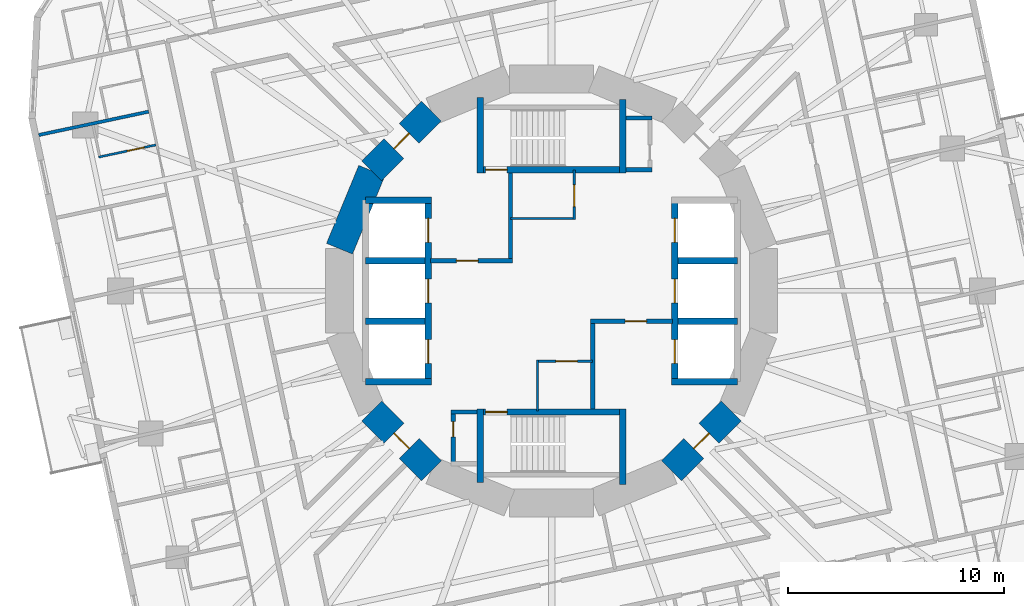
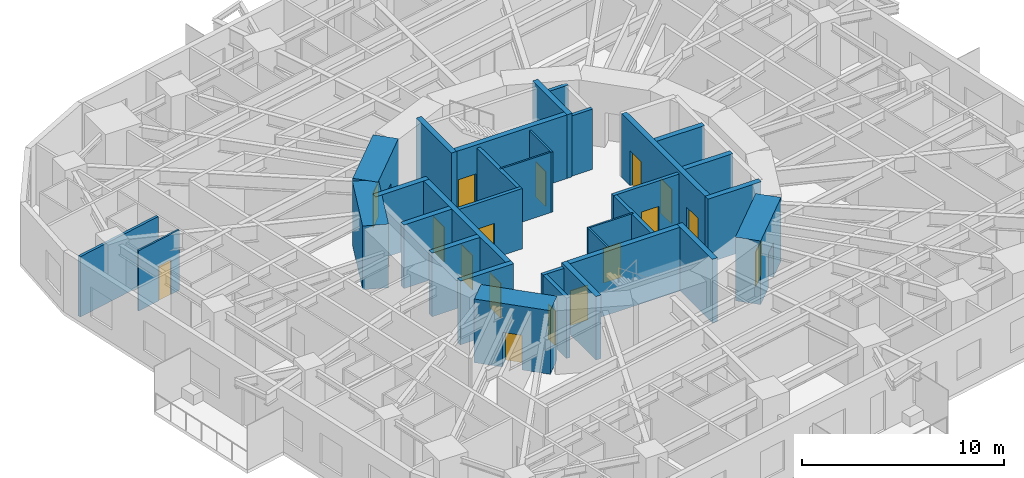
# One storey, part 7 of 14: 33 walls, 17 doors, 17 openings.
"""IFC4 building model written with IfcOpenShell, lengths in metres."""

from ifc_helpers import new_model, si_unit, direction, frame, frame_2d, origin, place, context, subcontext, project, spatial, rectangle, extrude, material, layer, layer_set, type_object, element, fill, save


model = new_model("IFC4")

# Units and contexts
model_context = context("Model", 3, precision=1e-05, world=origin(), true_north=direction((0.0, 1.0)))
body_context = subcontext(model_context, "Body", "Model", "MODEL_VIEW")
ifc_project = project(units=[si_unit("LENGTHUNIT", "METRE"), si_unit("AREAUNIT", "SQUARE_METRE"), si_unit("VOLUMEUNIT", "CUBIC_METRE"), si_unit("PLANEANGLEUNIT", "RADIAN"), si_unit("MASSUNIT", "GRAM", prefix="KILO")], contexts=[model_context])

# Site, building, storey
site_placement = place(None, origin())
site = spatial("IfcSite", under=ifc_project, at=site_placement, CompositionType="ELEMENT")
building_placement = place(site_placement, origin())
building = spatial("IfcBuilding", under=site, at=building_placement, Name="Nakasero Lantern House", CompositionType="ELEMENT")
storey_placement = place(building_placement, frame((0.0, 0.0, 108.85009765625)))
storey = spatial("IfcBuildingStorey", under=building, at=storey_placement, Name="L26", CompositionType="ELEMENT", Elevation=108.85009765625)

# Wall, openings, doors
ifc_material_1 = material(Name="Concrete C50/60", Category="concrete")
ifc_layer_1 = layer(ifc_material_1, 0.300048828125)
ifc_layer_set_1 = layer_set([ifc_layer_1], Name="Core inner wall 300")
wall_type_1 = type_object("IfcWallType", Name="Core inner wall 300", PredefinedType="SHEAR", material=ifc_layer_set_1)
wall_1_placement = place(storey_placement, frame((-5.699951171875, -4.199951171875, 0.0), z_axis=(0.0, 0.0, 1.0), x_axis=(0.0, 1.0, 0.0)))
wall_1 = element("IfcWall", 1, at=wall_1_placement, inside=storey, type_object=wall_type_1, Name="Core inner wall L26 LW", PredefinedType="SHEAR", context=body_context, shape_type="SweptSolid", body=[
    extrude(rectangle(XDim=8.39990234375, YDim=0.300048828125, at=frame_2d((4.199951171875, 0.0))), origin(), (0.0, 0.0, 1.0), 3.849853515625),
])
opening_1_placement = place(wall_1_placement, frame((0.85009765625, 0.0, 0.0)))
opening_1 = element("IfcOpeningElement", 2, at=opening_1_placement, cuts=wall_1, Name="Opening LD", PredefinedType="OPENING", context=body_context, shape_type="SweptSolid", body=[
    extrude(rectangle(XDim=1.10009765625, YDim=2.10009765625, at=frame_2d((0.550048828125, 1.050048828125))), frame((0.0, 0.169921875, 0.0), z_axis=(0.0, -1.0, 0.0), x_axis=(1.0, 0.0, 0.0)), (0.0, 0.0, 1.0), 0.340087890625),
])
opening_2_placement = place(wall_1_placement, frame((3.64990234375, 0.0, 0.0)))
opening_2 = element("IfcOpeningElement", 3, at=opening_2_placement, cuts=wall_1, Name="Opening LD", PredefinedType="OPENING", context=body_context, shape_type="SweptSolid", body=[
    extrude(rectangle(XDim=1.10009765625, YDim=2.10009765625, at=frame_2d((0.550048828125, 1.050048828125))), frame((0.0, 0.169921875, 0.0), z_axis=(0.0, -1.0, 0.0), x_axis=(1.0, 0.0, 0.0)), (0.0, 0.0, 1.0), 0.340087890625),
])
opening_3_placement = place(wall_1_placement, frame((6.449951171875, 0.0, 0.0)))
opening_3 = element("IfcOpeningElement", 4, at=opening_3_placement, cuts=wall_1, Name="Opening LD", PredefinedType="OPENING", context=body_context, shape_type="SweptSolid", body=[
    extrude(rectangle(XDim=1.10009765625, YDim=2.10009765625, at=frame_2d((0.550048828125, 1.050048828125))), frame((0.0, 0.169921875, 0.0), z_axis=(0.0, -1.0, 0.0), x_axis=(1.0, 0.0, 0.0)), (0.0, 0.0, 1.0), 0.340087890625),
])
ifc_material_2 = material(Name="Steel S355", Category="steel")
door_type_1 = type_object("IfcDoorType", Name="Lift landing door E120 1100", OperationType="SLIDING_TO_LEFT", PredefinedType="DOOR", material=ifc_material_2)
door_1_placement = place(opening_1_placement, origin())
door_1 = element("IfcDoor", 5, at=door_1_placement, inside=storey, type_object=door_type_1, Name="Lift landing door LW1", OperationType="SLIDING_TO_LEFT", OverallHeight=2.10009765625, OverallWidth=1.10009765625, PredefinedType="DOOR", context=body_context, shape_type="SweptSolid", body=[
    extrude(rectangle(XDim=1.10009765625, YDim=2.10009765625, at=frame_2d((0.550048828125, 1.050048828125))), frame((0.0, 0.02490234375, 0.0), z_axis=(0.0, -1.0, 0.0), x_axis=(1.0, 0.0, 0.0)), (0.0, 0.0, 1.0), 0.050048828125),
])
fill(opening_1, door_1)
door_2_placement = place(opening_2_placement, origin())
door_2 = element("IfcDoor", 6, at=door_2_placement, inside=storey, type_object=door_type_1, Name="Lift landing door LW2", OperationType="SLIDING_TO_LEFT", OverallHeight=2.10009765625, OverallWidth=1.10009765625, PredefinedType="DOOR", context=body_context, shape_type="SweptSolid", body=[
    extrude(rectangle(XDim=1.10009765625, YDim=2.10009765625, at=frame_2d((0.550048828125, 1.050048828125))), frame((0.0, 0.02490234375, 0.0), z_axis=(0.0, -1.0, 0.0), x_axis=(1.0, 0.0, 0.0)), (0.0, 0.0, 1.0), 0.050048828125),
])
fill(opening_2, door_2)
door_3_placement = place(opening_3_placement, origin())
door_3 = element("IfcDoor", 7, at=door_3_placement, inside=storey, type_object=door_type_1, Name="Lift landing door LW3", OperationType="SLIDING_TO_LEFT", OverallHeight=2.10009765625, OverallWidth=1.10009765625, PredefinedType="DOOR", context=body_context, shape_type="SweptSolid", body=[
    extrude(rectangle(XDim=1.10009765625, YDim=2.10009765625, at=frame_2d((0.550048828125, 1.050048828125))), frame((0.0, 0.02490234375, 0.0), z_axis=(0.0, -1.0, 0.0), x_axis=(1.0, 0.0, 0.0)), (0.0, 0.0, 1.0), 0.050048828125),
])
fill(opening_3, door_3)

wall_2_placement = place(storey_placement, frame((5.699951171875, -4.199951171875, 0.0), z_axis=(0.0, 0.0, 1.0), x_axis=(0.0, 1.0, 0.0)))
wall_2 = element("IfcWall", 8, at=wall_2_placement, inside=storey, type_object=wall_type_1, Name="Core inner wall L26 LE", PredefinedType="SHEAR", context=body_context, shape_type="SweptSolid", body=[
    extrude(rectangle(XDim=8.39990234375, YDim=0.300048828125, at=frame_2d((4.199951171875, 0.0))), origin(), (0.0, 0.0, 1.0), 3.849853515625),
])
opening_4_placement = place(wall_2_placement, frame((0.85009765625, 0.0, 0.0)))
opening_4 = element("IfcOpeningElement", 9, at=opening_4_placement, cuts=wall_2, Name="Opening LD", PredefinedType="OPENING", context=body_context, shape_type="SweptSolid", body=[
    extrude(rectangle(XDim=1.10009765625, YDim=2.10009765625, at=frame_2d((0.550048828125, 1.050048828125))), frame((0.0, 0.169921875, 0.0), z_axis=(0.0, -1.0, 0.0), x_axis=(1.0, 0.0, 0.0)), (0.0, 0.0, 1.0), 0.340087890625),
])
opening_5_placement = place(wall_2_placement, frame((3.64990234375, 0.0, 0.0)))
opening_5 = element("IfcOpeningElement", 10, at=opening_5_placement, cuts=wall_2, Name="Opening LD", PredefinedType="OPENING", context=body_context, shape_type="SweptSolid", body=[
    extrude(rectangle(XDim=1.10009765625, YDim=2.10009765625, at=frame_2d((0.550048828125, 1.050048828125))), frame((0.0, 0.169921875, 0.0), z_axis=(0.0, -1.0, 0.0), x_axis=(1.0, 0.0, 0.0)), (0.0, 0.0, 1.0), 0.340087890625),
])
opening_6_placement = place(wall_2_placement, frame((6.449951171875, 0.0, 0.0)))
opening_6 = element("IfcOpeningElement", 11, at=opening_6_placement, cuts=wall_2, Name="Opening LD", PredefinedType="OPENING", context=body_context, shape_type="SweptSolid", body=[
    extrude(rectangle(XDim=1.10009765625, YDim=2.10009765625, at=frame_2d((0.550048828125, 1.050048828125))), frame((0.0, 0.169921875, 0.0), z_axis=(0.0, -1.0, 0.0), x_axis=(1.0, 0.0, 0.0)), (0.0, 0.0, 1.0), 0.340087890625),
])
door_4_placement = place(opening_4_placement, origin())
door_4 = element("IfcDoor", 12, at=door_4_placement, inside=storey, type_object=door_type_1, Name="Lift landing door LE1", OperationType="SLIDING_TO_LEFT", OverallHeight=2.10009765625, OverallWidth=1.10009765625, PredefinedType="DOOR", context=body_context, shape_type="SweptSolid", body=[
    extrude(rectangle(XDim=1.10009765625, YDim=2.10009765625, at=frame_2d((0.550048828125, 1.050048828125))), frame((0.0, 0.02490234375, 0.0), z_axis=(0.0, -1.0, 0.0), x_axis=(1.0, 0.0, 0.0)), (0.0, 0.0, 1.0), 0.050048828125),
])
fill(opening_4, door_4)
door_5_placement = place(opening_5_placement, origin())
door_5 = element("IfcDoor", 13, at=door_5_placement, inside=storey, type_object=door_type_1, Name="Lift landing door LE2", OperationType="SLIDING_TO_LEFT", OverallHeight=2.10009765625, OverallWidth=1.10009765625, PredefinedType="DOOR", context=body_context, shape_type="SweptSolid", body=[
    extrude(rectangle(XDim=1.10009765625, YDim=2.10009765625, at=frame_2d((0.550048828125, 1.050048828125))), frame((0.0, 0.02490234375, 0.0), z_axis=(0.0, -1.0, 0.0), x_axis=(1.0, 0.0, 0.0)), (0.0, 0.0, 1.0), 0.050048828125),
])
fill(opening_5, door_5)
door_6_placement = place(opening_6_placement, origin())
door_6 = element("IfcDoor", 14, at=door_6_placement, inside=storey, type_object=door_type_1, Name="Lift landing door LE3", OperationType="SLIDING_TO_LEFT", OverallHeight=2.10009765625, OverallWidth=1.10009765625, PredefinedType="DOOR", context=body_context, shape_type="SweptSolid", body=[
    extrude(rectangle(XDim=1.10009765625, YDim=2.10009765625, at=frame_2d((0.550048828125, 1.050048828125))), frame((0.0, 0.02490234375, 0.0), z_axis=(0.0, -1.0, 0.0), x_axis=(1.0, 0.0, 0.0)), (0.0, 0.0, 1.0), 0.050048828125),
])
fill(opening_6, door_6)

# Walls
for number, where, z_axis, x_axis, name in (
    (15, (-8.60009765625, 4.199951171875, 0.0), (0.0, 0.0, 1.0), (1.0, 0.0, 0.0), "Core inner wall L26 LWN"),
    (16, (-8.60009765625, -4.199951171875, 0.0), (0.0, 0.0, 1.0), (1.0, 0.0, 0.0), "Core inner wall L26 LWS"),
    (17, (5.550048828125, -4.199951171875, 0.0), (0.0, 0.0, 1.0), (1.0, 0.0, 0.0), "Core inner wall L26 LES"),
):
    element("IfcWall", number, at=place(storey_placement, frame(where, z_axis=z_axis, x_axis=x_axis)), inside=storey, type_object=wall_type_1, Name=name, PredefinedType="SHEAR", context=body_context, shape_type="SweptSolid", body=[
        extrude(rectangle(XDim=3.050048828125, YDim=0.300048828125, at=frame_2d((1.52490234375, 0.0))), origin(), (0.0, 0.0, 1.0), 3.849853515625),
    ])
for number, where, z_axis, x_axis, name in (
    (18, (-8.60009765625, -1.39990234375, 0.0), (0.0, 0.0, 1.0), (1.0, 0.0, 0.0), "Core inner wall L26 LW1"),
    (19, (-8.60009765625, 1.39990234375, 0.0), (0.0, 0.0, 1.0), (1.0, 0.0, 0.0), "Core inner wall L26 LW2"),
    (20, (5.85009765625, -1.39990234375, 0.0), (0.0, 0.0, 1.0), (1.0, 0.0, 0.0), "Core inner wall L26 LE1"),
    (21, (5.85009765625, 1.39990234375, 0.0), (0.0, 0.0, 1.0), (1.0, 0.0, 0.0), "Core inner wall L26 LE2"),
):
    element("IfcWall", number, at=place(storey_placement, frame(where, z_axis=z_axis, x_axis=x_axis)), inside=storey, type_object=wall_type_1, Name=name, PredefinedType="SHEAR", context=body_context, shape_type="SweptSolid", body=[
        extrude(rectangle(XDim=2.75, YDim=0.300048828125, at=frame_2d((1.375, 0.0))), origin(), (0.0, 0.0, 1.0), 3.849853515625),
    ])

# Wall, opening, door
wall_3_placement = place(storey_placement, frame((-3.449951171875, 5.60009765625, 0.0), z_axis=(0.0, 0.0, 1.0), x_axis=(1.0, 0.0, 0.0)))
wall_3 = element("IfcWall", 22, at=wall_3_placement, inside=storey, type_object=wall_type_1, Name="Core inner wall L26 SN", PredefinedType="SHEAR", context=body_context, shape_type="SweptSolid", body=[
    extrude(rectangle(XDim=6.89990234375, YDim=0.300048828125, at=frame_2d((3.449951171875, 0.0))), origin(), (0.0, 0.0, 1.0), 3.849853515625),
])
opening_7_placement = place(wall_3_placement, frame((0.39990234375, 0.0, 0.0)))
opening_7 = element("IfcOpeningElement", 23, at=opening_7_placement, cuts=wall_3, Name="Opening D05", PredefinedType="OPENING", context=body_context, shape_type="SweptSolid", body=[
    extrude(rectangle(XDim=1.0, YDim=2.10009765625, at=frame_2d((0.5, 1.050048828125))), frame((0.0, 0.169921875, 0.0), z_axis=(0.0, -1.0, 0.0), x_axis=(1.0, 0.0, 0.0)), (0.0, 0.0, 1.0), 0.340087890625),
])
ifc_material_3 = material(Name="Timber C24", Category="wood")
door_type_2 = type_object("IfcDoorType", Name="Core door FD60S 1000", OperationType="SINGLE_SWING_LEFT", PredefinedType="DOOR", material=ifc_material_3)
door_7_placement = place(opening_7_placement, origin())
door_7 = element("IfcDoor", 24, at=door_7_placement, inside=storey, type_object=door_type_2, Name="Door L26 D-ST1", OperationType="SINGLE_SWING_LEFT", OverallHeight=2.10009765625, OverallWidth=1.0, PredefinedType="DOOR", context=body_context, shape_type="SweptSolid", body=[
    extrude(rectangle(XDim=1.0, YDim=2.10009765625, at=frame_2d((0.5, 1.050048828125))), frame((0.0, 0.02490234375, 0.0), z_axis=(0.0, -1.0, 0.0), x_axis=(1.0, 0.0, 0.0)), (0.0, 0.0, 1.0), 0.050048828125),
])
fill(opening_7, door_7)

# Walls
wall_4_placement = place(storey_placement, frame((-3.300048828125, 5.449951171875, 0.0), z_axis=(0.0, 0.0, 1.0), x_axis=(0.0, 1.0, 0.0)))
element("IfcWall", 25, at=wall_4_placement, inside=storey, type_object=wall_type_1, Name="Core inner wall L26 SNW", PredefinedType="SHEAR", context=body_context, shape_type="SweptSolid", body=[
    extrude(rectangle(XDim=3.5, YDim=0.300048828125, at=frame_2d((1.75, 0.0))), origin(), (0.0, 0.0, 1.0), 3.849853515625),
])
wall_5_placement = place(storey_placement, frame((3.300048828125, 5.449951171875, 0.0), z_axis=(0.0, 0.0, 1.0), x_axis=(0.0, 1.0, 0.0)))
element("IfcWall", 26, at=wall_5_placement, inside=storey, type_object=wall_type_1, Name="Core inner wall L26 SNE", PredefinedType="SHEAR", context=body_context, shape_type="SweptSolid", body=[
    extrude(rectangle(XDim=3.400146484375, YDim=0.300048828125, at=frame_2d((1.7001953125, 0.0))), origin(), (0.0, 0.0, 1.0), 3.849853515625),
])

# Wall, opening, door
wall_6_placement = place(storey_placement, frame((-3.449951171875, -5.60009765625, 0.0), z_axis=(0.0, 0.0, 1.0), x_axis=(1.0, 0.0, 0.0)))
wall_6 = element("IfcWall", 27, at=wall_6_placement, inside=storey, type_object=wall_type_1, Name="Core inner wall L26 SS", PredefinedType="SHEAR", context=body_context, shape_type="SweptSolid", body=[
    extrude(rectangle(XDim=6.89990234375, YDim=0.300048828125, at=frame_2d((3.449951171875, 0.0))), origin(), (0.0, 0.0, 1.0), 3.849853515625),
])
opening_8_placement = place(wall_6_placement, frame((0.39990234375, 0.0, 0.0)))
opening_8 = element("IfcOpeningElement", 28, at=opening_8_placement, cuts=wall_6, Name="Opening D05", PredefinedType="OPENING", context=body_context, shape_type="SweptSolid", body=[
    extrude(rectangle(XDim=1.0, YDim=2.10009765625, at=frame_2d((0.5, 1.050048828125))), frame((0.0, 0.169921875, 0.0), z_axis=(0.0, -1.0, 0.0), x_axis=(1.0, 0.0, 0.0)), (0.0, 0.0, 1.0), 0.340087890625),
])
door_8_placement = place(opening_8_placement, origin())
door_8 = element("IfcDoor", 29, at=door_8_placement, inside=storey, type_object=door_type_2, Name="Door L26 D-ST2", OperationType="SINGLE_SWING_LEFT", OverallHeight=2.10009765625, OverallWidth=1.0, PredefinedType="DOOR", context=body_context, shape_type="SweptSolid", body=[
    extrude(rectangle(XDim=1.0, YDim=2.10009765625, at=frame_2d((0.5, 1.050048828125))), frame((0.0, 0.02490234375, 0.0), z_axis=(0.0, -1.0, 0.0), x_axis=(1.0, 0.0, 0.0)), (0.0, 0.0, 1.0), 0.050048828125),
])
fill(opening_8, door_8)

# Walls
wall_7_placement = place(storey_placement, frame((-3.300048828125, -5.449951171875, 0.0), z_axis=(0.0, 0.0, 1.0), x_axis=(0.0, -1.0, 0.0)))
element("IfcWall", 30, at=wall_7_placement, inside=storey, type_object=wall_type_1, Name="Core inner wall L26 SSW", PredefinedType="SHEAR", context=body_context, shape_type="SweptSolid", body=[
    extrude(rectangle(XDim=3.400146484375, YDim=0.300048828125, at=frame_2d((1.7001953125, 0.0))), origin(), (0.0, 0.0, 1.0), 3.849853515625),
])
wall_8_placement = place(storey_placement, frame((3.300048828125, -5.449951171875, 0.0), z_axis=(0.0, 0.0, 1.0), x_axis=(0.0, -1.0, 0.0)))
element("IfcWall", 31, at=wall_8_placement, inside=storey, type_object=wall_type_1, Name="Core inner wall L26 SSE", PredefinedType="SHEAR", context=body_context, shape_type="SweptSolid", body=[
    extrude(rectangle(XDim=3.5, YDim=0.300048828125, at=frame_2d((1.75, 0.0))), origin(), (0.0, 0.0, 1.0), 3.849853515625),
])
ifc_material_4 = material(Name="Blockwork", Category="masonry")
ifc_layer_2 = layer(ifc_material_4, 0.10009765625)
ifc_layer_set_2 = layer_set([ifc_layer_2], Name="Core room wall 100")
wall_type_2 = type_object("IfcWallType", Name="Core room wall 100", PredefinedType="PARTITIONING", material=ifc_layer_set_2)
wall_9_placement = place(storey_placement, frame((-1.89990234375, 3.35009765625, 0.0), z_axis=(0.0, 0.0, 1.0), x_axis=(1.0, 0.0, 0.0)))
element("IfcWall", 32, at=wall_9_placement, inside=storey, type_object=wall_type_2, Name="Core room wall L26 CR-NES", PredefinedType="PARTITIONING", context=body_context, shape_type="SweptSolid", body=[
    extrude(rectangle(XDim=3.0, YDim=0.10009765625, at=frame_2d((1.5, 0.0))), origin(), (0.0, 0.0, 1.0), 3.64990234375),
])

# Wall, opening, door
wall_10_placement = place(storey_placement, frame((1.050048828125, 3.300048828125, 0.0), z_axis=(0.0, 0.0, 1.0), x_axis=(0.0, 1.0, 0.0)))
wall_10 = element("IfcWall", 33, at=wall_10_placement, inside=storey, type_object=wall_type_2, Name="Core room wall L26 CR-NEE", PredefinedType="PARTITIONING", context=body_context, shape_type="SweptSolid", body=[
    extrude(rectangle(XDim=2.300048828125, YDim=0.10009765625, at=frame_2d((1.14990234375, 0.0))), origin(), (0.0, 0.0, 1.0), 3.64990234375),
])
opening_9_placement = place(wall_10_placement, frame((0.60009765625, 0.0, 0.0)))
opening_9 = element("IfcOpeningElement", 34, at=opening_9_placement, cuts=wall_10, Name="Opening D13", PredefinedType="OPENING", context=body_context, shape_type="SweptSolid", body=[
    extrude(rectangle(XDim=1.0, YDim=2.10009765625, at=frame_2d((0.5, 1.050048828125))), frame((0.0, 0.070068359375, 0.0), z_axis=(0.0, -1.0, 0.0), x_axis=(1.0, 0.0, 0.0)), (0.0, 0.0, 1.0), 0.14013671875),
])
ifc_material_5 = material(Name="Steel S355", Category="steel")
door_type_3 = type_object("IfcDoorType", Name="Plant room door FD60 1000", OperationType="SINGLE_SWING_LEFT", PredefinedType="DOOR", material=ifc_material_5)
door_9_placement = place(opening_9_placement, origin())
door_9 = element("IfcDoor", 35, at=door_9_placement, inside=storey, type_object=door_type_3, Name="Door L26 D-CR-NE", OperationType="SINGLE_SWING_LEFT", OverallHeight=2.10009765625, OverallWidth=1.0, PredefinedType="DOOR", context=body_context, shape_type="SweptSolid", body=[
    extrude(rectangle(XDim=1.0, YDim=2.10009765625, at=frame_2d((0.5, 1.050048828125))), frame((0.0, 0.02490234375, 0.0), z_axis=(0.0, -1.0, 0.0), x_axis=(1.0, 0.0, 0.0)), (0.0, 0.0, 1.0), 0.050048828125),
])
fill(opening_9, door_9)

wall_11_placement = place(storey_placement, frame((-0.699951171875, -3.25, 0.0), z_axis=(0.0, 0.0, 1.0), x_axis=(1.0, 0.0, 0.0)))
wall_11 = element("IfcWall", 36, at=wall_11_placement, inside=storey, type_object=wall_type_2, Name="Core room wall L26 CR-SWN", PredefinedType="PARTITIONING", context=body_context, shape_type="SweptSolid", body=[
    extrude(rectangle(XDim=2.599853515625, YDim=0.10009765625, at=frame_2d((1.2998046875, 0.0))), origin(), (0.0, 0.0, 1.0), 3.64990234375),
])
opening_10_placement = place(wall_11_placement, frame((0.89990234375, 0.0, 0.0)))
opening_10 = element("IfcOpeningElement", 37, at=opening_10_placement, cuts=wall_11, Name="Opening D07", PredefinedType="OPENING", context=body_context, shape_type="SweptSolid", body=[
    extrude(rectangle(XDim=1.0, YDim=2.10009765625, at=frame_2d((0.5, 1.050048828125))), frame((0.0, 0.070068359375, 0.0), z_axis=(0.0, -1.0, 0.0), x_axis=(1.0, 0.0, 0.0)), (0.0, 0.0, 1.0), 0.14013671875),
])
ifc_material_6 = material(Name="Timber C24", Category="wood")
door_type_4 = type_object("IfcDoorType", Name="Room door FD30S 1000", OperationType="SINGLE_SWING_LEFT", PredefinedType="DOOR", material=ifc_material_6)
door_10_placement = place(opening_10_placement, origin())
door_10 = element("IfcDoor", 38, at=door_10_placement, inside=storey, type_object=door_type_4, Name="Door L26 D-CR-SW", OperationType="SINGLE_SWING_RIGHT", OverallHeight=2.10009765625, OverallWidth=1.0, PredefinedType="DOOR", context=body_context, shape_type="SweptSolid", body=[
    extrude(rectangle(XDim=1.0, YDim=2.10009765625, at=frame_2d((0.5, 1.050048828125))), frame((0.0, 0.02490234375, 0.0), z_axis=(0.0, -1.0, 0.0), x_axis=(1.0, 0.0, 0.0)), (0.0, 0.0, 1.0), 0.050048828125),
])
fill(opening_10, door_10)

# Wall
wall_12_placement = place(storey_placement, frame((-0.64990234375, -5.550048828125, 0.0), z_axis=(0.0, 0.0, 1.0), x_axis=(0.0, 1.0, 0.0)))
element("IfcWall", 39, at=wall_12_placement, inside=storey, type_object=wall_type_2, Name="Core room wall L26 CR-SWW", PredefinedType="PARTITIONING", context=body_context, shape_type="SweptSolid", body=[
    extrude(rectangle(XDim=2.35009765625, YDim=0.10009765625, at=frame_2d((1.175048828125, 0.0))), origin(), (0.0, 0.0, 1.0), 3.64990234375),
])

# Wall, opening, door
ifc_material_7 = material(Name="Concrete C50/60", Category="concrete")
ifc_layer_3 = layer(ifc_material_7, 1.300048828125)
ifc_layer_set_3 = layer_set([ifc_layer_3], Name="Core wall 1300")
wall_type_3 = type_object("IfcWallType", Name="Core wall 1300", PredefinedType="SHEAR", material=ifc_layer_set_3)
wall_13_placement = place(storey_placement, frame((-5.5556640625, 8.314697265625, 0.0), z_axis=(0.0, 0.0, 1.0), x_axis=(-0.707106781187, -0.707106781187, 0.0)))
wall_13 = element("IfcWall", 40, at=wall_13_placement, inside=storey, type_object=wall_type_3, Name="Core wall L26 facet 6", PredefinedType="SHEAR", context=body_context, shape_type="SweptSolid", body=[
    extrude(rectangle(XDim=3.90185546875, YDim=1.300048828125, at=frame_2d((1.950927734375, 0.0))), origin(), (0.0, 0.0, 1.0), 3.849853515625),
])
opening_11_placement = place(wall_13_placement, frame((1.450927734375, 0.0, 0.0)))
opening_11 = element("IfcOpeningElement", 41, at=opening_11_placement, cuts=wall_13, Name="Opening D05", PredefinedType="OPENING", context=body_context, shape_type="SweptSolid", body=[
    extrude(rectangle(XDim=1.0, YDim=2.10009765625, at=frame_2d((0.5, 1.050048828125))), frame((0.0, 0.669921875, 0.0), z_axis=(0.0, -1.0, 0.0), x_axis=(1.0, 0.0, 0.0)), (0.0, 0.0, 1.0), 1.340087890625),
])
door_11_placement = place(opening_11_placement, origin())
door_11 = element("IfcDoor", 42, at=door_11_placement, inside=storey, type_object=door_type_2, Name="Door L26 D-CORE06", OperationType="SINGLE_SWING_LEFT", OverallHeight=2.10009765625, OverallWidth=1.0, PredefinedType="DOOR", context=body_context, shape_type="SweptSolid", body=[
    extrude(rectangle(XDim=1.0, YDim=2.10009765625, at=frame_2d((0.5, 1.050048828125))), frame((0.0, 0.02490234375, 0.0), z_axis=(0.0, -1.0, 0.0), x_axis=(1.0, 0.0, 0.0)), (0.0, 0.0, 1.0), 0.050048828125),
])
fill(opening_11, door_11)

# Wall
wall_14_placement = place(storey_placement, frame((-8.314697265625, 5.5556640625, 0.0), z_axis=(0.0, 0.0, 1.0), x_axis=(-0.382690736062, -0.923876507187, 0.0)))
element("IfcWall", 43, at=wall_14_placement, inside=storey, type_object=wall_type_3, Name="Core wall L26 facet 7", PredefinedType="SHEAR", context=body_context, shape_type="SweptSolid", body=[
    extrude(rectangle(XDim=3.90185546875, YDim=1.300048828125, at=frame_2d((1.950927734375, 0.0))), origin(), (0.0, 0.0, 1.0), 3.849853515625),
])

# Wall, opening, door
wall_15_placement = place(storey_placement, frame((-8.314697265625, -5.5556640625, 0.0), z_axis=(0.0, 0.0, 1.0), x_axis=(0.707106781187, -0.707106781187, 0.0)))
wall_15 = element("IfcWall", 44, at=wall_15_placement, inside=storey, type_object=wall_type_3, Name="Core wall L26 facet 10", PredefinedType="SHEAR", context=body_context, shape_type="SweptSolid", body=[
    extrude(rectangle(XDim=3.90185546875, YDim=1.300048828125, at=frame_2d((1.950927734375, 0.0))), origin(), (0.0, 0.0, 1.0), 3.849853515625),
])
opening_12_placement = place(wall_15_placement, frame((1.450927734375, 0.0, 0.0)))
opening_12 = element("IfcOpeningElement", 45, at=opening_12_placement, cuts=wall_15, Name="Opening D05", PredefinedType="OPENING", context=body_context, shape_type="SweptSolid", body=[
    extrude(rectangle(XDim=1.0, YDim=2.10009765625, at=frame_2d((0.5, 1.050048828125))), frame((0.0, 0.669921875, 0.0), z_axis=(0.0, -1.0, 0.0), x_axis=(1.0, 0.0, 0.0)), (0.0, 0.0, 1.0), 1.340087890625),
])
door_12_placement = place(opening_12_placement, origin())
door_12 = element("IfcDoor", 46, at=door_12_placement, inside=storey, type_object=door_type_2, Name="Door L26 D-CORE10", OperationType="SINGLE_SWING_LEFT", OverallHeight=2.10009765625, OverallWidth=1.0, PredefinedType="DOOR", context=body_context, shape_type="SweptSolid", body=[
    extrude(rectangle(XDim=1.0, YDim=2.10009765625, at=frame_2d((0.5, 1.050048828125))), frame((0.0, 0.02490234375, 0.0), z_axis=(0.0, -1.0, 0.0), x_axis=(1.0, 0.0, 0.0)), (0.0, 0.0, 1.0), 0.050048828125),
])
fill(opening_12, door_12)

wall_16_placement = place(storey_placement, frame((5.5556640625, -8.314697265625, 0.0), z_axis=(0.0, 0.0, 1.0), x_axis=(0.707106781187, 0.707106781187, 0.0)))
wall_16 = element("IfcWall", 47, at=wall_16_placement, inside=storey, type_object=wall_type_3, Name="Core wall L26 facet 14", PredefinedType="SHEAR", context=body_context, shape_type="SweptSolid", body=[
    extrude(rectangle(XDim=3.90185546875, YDim=1.300048828125, at=frame_2d((1.950927734375, 0.0))), origin(), (0.0, 0.0, 1.0), 3.849853515625),
])
opening_13_placement = place(wall_16_placement, frame((1.450927734375, 0.0, 0.0)))
opening_13 = element("IfcOpeningElement", 48, at=opening_13_placement, cuts=wall_16, Name="Opening D05", PredefinedType="OPENING", context=body_context, shape_type="SweptSolid", body=[
    extrude(rectangle(XDim=1.0, YDim=2.10009765625, at=frame_2d((0.5, 1.050048828125))), frame((0.0, 0.669921875, 0.0), z_axis=(0.0, -1.0, 0.0), x_axis=(1.0, 0.0, 0.0)), (0.0, 0.0, 1.0), 1.340087890625),
])
door_13_placement = place(opening_13_placement, origin())
door_13 = element("IfcDoor", 49, at=door_13_placement, inside=storey, type_object=door_type_2, Name="Door L26 D-CORE14", OperationType="SINGLE_SWING_LEFT", OverallHeight=2.10009765625, OverallWidth=1.0, PredefinedType="DOOR", context=body_context, shape_type="SweptSolid", body=[
    extrude(rectangle(XDim=1.0, YDim=2.10009765625, at=frame_2d((0.5, 1.050048828125))), frame((0.0, 0.02490234375, 0.0), z_axis=(0.0, -1.0, 0.0), x_axis=(1.0, 0.0, 0.0)), (0.0, 0.0, 1.0), 0.050048828125),
])
fill(opening_13, door_13)

ifc_material_8 = material(Name="Blockwork", Category="masonry")
ifc_layer_4 = layer(ifc_material_8, 0.10009765625)
ifc_layer_set_4 = layer_set([ifc_layer_4], Name="En-suite wall 100")
wall_type_4 = type_object("IfcWallType", Name="En-suite wall 100", PredefinedType="PARTITIONING", material=ifc_layer_set_4)
wall_17_placement = place(storey_placement, frame((-18.303466796875, 6.7509765625, 0.0), z_axis=(0.0, 0.0, 1.0), x_axis=(-0.978137244908, -0.207960405185, 0.0)))
wall_17 = element("IfcWall", 50, at=wall_17_placement, inside=storey, type_object=wall_type_4, Name="En-suite wall L26 ES2-01", PredefinedType="PARTITIONING", context=body_context, shape_type="SweptSolid", body=[
    extrude(rectangle(XDim=2.7001953125, YDim=0.10009765625, at=frame_2d((1.35009765625, 0.0))), origin(), (0.0, 0.0, 1.0), 3.64990234375),
])
opening_14_placement = place(wall_17_placement, frame((0.550048828125, 0.0, 0.0)))
opening_14 = element("IfcOpeningElement", 51, at=opening_14_placement, cuts=wall_17, Name="Opening D02", PredefinedType="OPENING", context=body_context, shape_type="SweptSolid", body=[
    extrude(rectangle(XDim=0.800048828125, YDim=2.10009765625, at=frame_2d((0.39990234375, 1.050048828125))), frame((0.0, 0.070068359375, 0.0), z_axis=(0.0, -1.0, 0.0), x_axis=(1.0, 0.0, 0.0)), (0.0, 0.0, 1.0), 0.14013671875),
])
ifc_material_9 = material(Name="Timber C24", Category="wood")
door_type_5 = type_object("IfcDoorType", Name="En-suite door 800", OperationType="SINGLE_SWING_RIGHT", PredefinedType="DOOR", material=ifc_material_9)
door_14_placement = place(opening_14_placement, origin())
door_14 = element("IfcDoor", 52, at=door_14_placement, inside=storey, type_object=door_type_5, Name="Door L26 DE2-01", OperationType="SINGLE_SWING_LEFT", OverallHeight=2.10009765625, OverallWidth=0.800048828125, PredefinedType="DOOR", context=body_context, shape_type="SweptSolid", body=[
    extrude(rectangle(XDim=0.800048828125, YDim=2.10009765625, at=frame_2d((0.39990234375, 1.050048828125))), frame((0.0, 0.02490234375, 0.0), z_axis=(0.0, -1.0, 0.0), x_axis=(1.0, 0.0, 0.0)), (0.0, 0.0, 1.0), 0.050048828125),
])
fill(opening_14, door_14)

ifc_material_10 = material(Name="Blockwork", Category="masonry")
ifc_layer_5 = layer(ifc_material_10, 0.199951171875)
ifc_layer_set_5 = layer_set([ifc_layer_5], Name="Fire lobby wall 200")
wall_type_5 = type_object("IfcWallType", Name="Fire lobby wall 200", PredefinedType="PARTITIONING", material=ifc_layer_set_5)
wall_18_placement = place(storey_placement, frame((-5.60009765625, 1.39990234375, 0.0), z_axis=(0.0, 0.0, 1.0), x_axis=(1.0, 0.0, 0.0)))
wall_18 = element("IfcWall", 53, at=wall_18_placement, inside=storey, type_object=wall_type_5, Name="Fire lobby wall L26 W-FL1S", PredefinedType="PARTITIONING", context=body_context, shape_type="SweptSolid", body=[
    extrude(rectangle(XDim=3.800048828125, YDim=0.199951171875, at=frame_2d((1.89990234375, 0.0))), origin(), (0.0, 0.0, 1.0), 3.64990234375),
])
opening_15_placement = place(wall_18_placement, frame((1.199951171875, 0.0, 0.0)))
opening_15 = element("IfcOpeningElement", 54, at=opening_15_placement, cuts=wall_18, Name="Opening D05", PredefinedType="OPENING", context=body_context, shape_type="SweptSolid", body=[
    extrude(rectangle(XDim=1.0, YDim=2.10009765625, at=frame_2d((0.5, 1.050048828125))), frame((0.0, 0.119873046875, 0.0), z_axis=(0.0, -1.0, 0.0), x_axis=(1.0, 0.0, 0.0)), (0.0, 0.0, 1.0), 0.239990234375),
])
door_15_placement = place(opening_15_placement, origin())
door_15 = element("IfcDoor", 55, at=door_15_placement, inside=storey, type_object=door_type_2, Name="Door L26 D-FL1", OperationType="SINGLE_SWING_LEFT", OverallHeight=2.10009765625, OverallWidth=1.0, PredefinedType="DOOR", context=body_context, shape_type="SweptSolid", body=[
    extrude(rectangle(XDim=1.0, YDim=2.10009765625, at=frame_2d((0.5, 1.050048828125))), frame((0.0, 0.02490234375, 0.0), z_axis=(0.0, -1.0, 0.0), x_axis=(1.0, 0.0, 0.0)), (0.0, 0.0, 1.0), 0.050048828125),
])
fill(opening_15, door_15)

# Wall
wall_19_placement = place(storey_placement, frame((-1.89990234375, 1.5, 0.0), z_axis=(0.0, 0.0, 1.0), x_axis=(0.0, 1.0, 0.0)))
element("IfcWall", 56, at=wall_19_placement, inside=storey, type_object=wall_type_5, Name="Fire lobby wall L26 W-FL1E", PredefinedType="PARTITIONING", context=body_context, shape_type="SweptSolid", body=[
    extrude(rectangle(XDim=3.949951171875, YDim=0.199951171875, at=frame_2d((1.97509765625, 0.0))), origin(), (0.0, 0.0, 1.0), 3.64990234375),
])

# Wall, opening, door
wall_20_placement = place(storey_placement, frame((5.60009765625, -1.39990234375, 0.0), z_axis=(0.0, 0.0, 1.0), x_axis=(-1.0, 0.0, 0.0)))
wall_20 = element("IfcWall", 57, at=wall_20_placement, inside=storey, type_object=wall_type_5, Name="Fire lobby wall L26 W-FL2N", PredefinedType="PARTITIONING", context=body_context, shape_type="SweptSolid", body=[
    extrude(rectangle(XDim=3.800048828125, YDim=0.199951171875, at=frame_2d((1.89990234375, 0.0))), origin(), (0.0, 0.0, 1.0), 3.64990234375),
])
opening_16_placement = place(wall_20_placement, frame((1.199951171875, 0.0, 0.0)))
opening_16 = element("IfcOpeningElement", 58, at=opening_16_placement, cuts=wall_20, Name="Opening D05", PredefinedType="OPENING", context=body_context, shape_type="SweptSolid", body=[
    extrude(rectangle(XDim=1.0, YDim=2.10009765625, at=frame_2d((0.5, 1.050048828125))), frame((0.0, 0.119873046875, 0.0), z_axis=(0.0, -1.0, 0.0), x_axis=(1.0, 0.0, 0.0)), (0.0, 0.0, 1.0), 0.239990234375),
])
door_16_placement = place(opening_16_placement, origin())
door_16 = element("IfcDoor", 59, at=door_16_placement, inside=storey, type_object=door_type_2, Name="Door L26 D-FL2", OperationType="SINGLE_SWING_LEFT", OverallHeight=2.10009765625, OverallWidth=1.0, PredefinedType="DOOR", context=body_context, shape_type="SweptSolid", body=[
    extrude(rectangle(XDim=1.0, YDim=2.10009765625, at=frame_2d((0.5, 1.050048828125))), frame((0.0, 0.02490234375, 0.0), z_axis=(0.0, -1.0, 0.0), x_axis=(1.0, 0.0, 0.0)), (0.0, 0.0, 1.0), 0.050048828125),
])
fill(opening_16, door_16)

# Walls
wall_21_placement = place(storey_placement, frame((1.89990234375, -1.5, 0.0), z_axis=(0.0, 0.0, 1.0), x_axis=(0.0, -1.0, 0.0)))
element("IfcWall", 60, at=wall_21_placement, inside=storey, type_object=wall_type_5, Name="Fire lobby wall L26 W-FL2W", PredefinedType="PARTITIONING", context=body_context, shape_type="SweptSolid", body=[
    extrude(rectangle(XDim=3.949951171875, YDim=0.199951171875, at=frame_2d((1.97509765625, 0.0))), origin(), (0.0, 0.0, 1.0), 3.64990234375),
])
for number, where, z_axis, x_axis, name in (
    (61, (3.449951171875, 8.0, 0.0), (0.0, 0.0, 1.0), (1.0, 0.0, 0.0), "Fire lobby wall L26 W-RS1N"),
    (62, (3.449951171875, 5.60009765625, 0.0), (0.0, 0.0, 1.0), (1.0, 0.0, 0.0), "Fire lobby wall L26 W-RS1S"),
):
    element("IfcWall", number, at=place(storey_placement, frame(where, z_axis=z_axis, x_axis=x_axis)), inside=storey, type_object=wall_type_5, Name=name, PredefinedType="PARTITIONING", context=body_context, shape_type="SweptSolid", body=[
        extrude(rectangle(XDim=1.199951171875, YDim=0.199951171875, at=frame_2d((0.60009765625, 0.0))), origin(), (0.0, 0.0, 1.0), 3.64990234375),
    ])

# Wall, opening, door
wall_22_placement = place(storey_placement, frame((-4.550048828125, -5.60009765625, 0.0), z_axis=(0.0, 0.0, 1.0), x_axis=(0.0, -1.0, 0.0)))
wall_22 = element("IfcWall", 63, at=wall_22_placement, inside=storey, type_object=wall_type_5, Name="Fire lobby wall L26 W-RS2W", PredefinedType="PARTITIONING", context=body_context, shape_type="SweptSolid", body=[
    extrude(rectangle(XDim=2.39990234375, YDim=0.199951171875, at=frame_2d((1.199951171875, 0.0))), origin(), (0.0, 0.0, 1.0), 3.64990234375),
])
opening_17_placement = place(wall_22_placement, frame((0.449951171875, 0.0, 0.0)))
opening_17 = element("IfcOpeningElement", 64, at=opening_17_placement, cuts=wall_22, Name="Opening D06", PredefinedType="OPENING", context=body_context, shape_type="SweptSolid", body=[
    extrude(rectangle(XDim=0.699951171875, YDim=2.10009765625, at=frame_2d((0.35009765625, 1.050048828125))), frame((0.0, 0.119873046875, 0.0), z_axis=(0.0, -1.0, 0.0), x_axis=(1.0, 0.0, 0.0)), (0.0, 0.0, 1.0), 0.239990234375),
])
ifc_material_11 = material(Name="Steel S355", Category="steel")
door_type_6 = type_object("IfcDoorType", Name="Riser door FD60 700", OperationType="SINGLE_SWING_LEFT", PredefinedType="DOOR", material=ifc_material_11)
door_17_placement = place(opening_17_placement, origin())
door_17 = element("IfcDoor", 65, at=door_17_placement, inside=storey, type_object=door_type_6, Name="Door L26 D-RS2", OperationType="SINGLE_SWING_LEFT", OverallHeight=2.10009765625, OverallWidth=0.699951171875, PredefinedType="DOOR", context=body_context, shape_type="SweptSolid", body=[
    extrude(rectangle(XDim=0.699951171875, YDim=2.10009765625, at=frame_2d((0.35009765625, 1.050048828125))), frame((0.0, 0.02490234375, 0.0), z_axis=(0.0, -1.0, 0.0), x_axis=(1.0, 0.0, 0.0)), (0.0, 0.0, 1.0), 0.050048828125),
])
fill(opening_17, door_17)

# Walls
wall_23_placement = place(storey_placement, frame((-3.449951171875, -5.60009765625, 0.0), z_axis=(0.0, 0.0, 1.0), x_axis=(-1.0, 0.0, 0.0)))
element("IfcWall", 66, at=wall_23_placement, inside=storey, type_object=wall_type_5, Name="Fire lobby wall L26 W-RS2N", PredefinedType="PARTITIONING", context=body_context, shape_type="SweptSolid", body=[
    extrude(rectangle(XDim=1.199951171875, YDim=0.199951171875, at=frame_2d((0.60009765625, 0.0))), origin(), (0.0, 0.0, 1.0), 3.64990234375),
])
ifc_material_12 = material(Name="Blockwork", Category="masonry")
ifc_layer_6 = layer(ifc_material_12, 0.14990234375)
ifc_layer_set_6 = layer_set([ifc_layer_6], Name="Party wall 150")
wall_type_6 = type_object("IfcWallType", Name="Party wall 150", PredefinedType="PARTITIONING", material=ifc_layer_set_6)
wall_24_placement = place(storey_placement, frame((-18.631103515625, 8.29150390625, 0.0), z_axis=(0.0, 0.0, 1.0), x_axis=(-0.978139873931, -0.207948039247, 0.0)))
element("IfcWall", 67, at=wall_24_placement, inside=storey, type_object=wall_type_6, Name="Party wall L26 PW2-01", PredefinedType="PARTITIONING", context=body_context, shape_type="SweptSolid", body=[
    extrude(rectangle(XDim=5.199951171875, YDim=0.14990234375, at=frame_2d((2.60009765625, 0.0))), origin(), (0.0, 0.0, 1.0), 3.64990234375),
])

save(model, "model.ifc")
